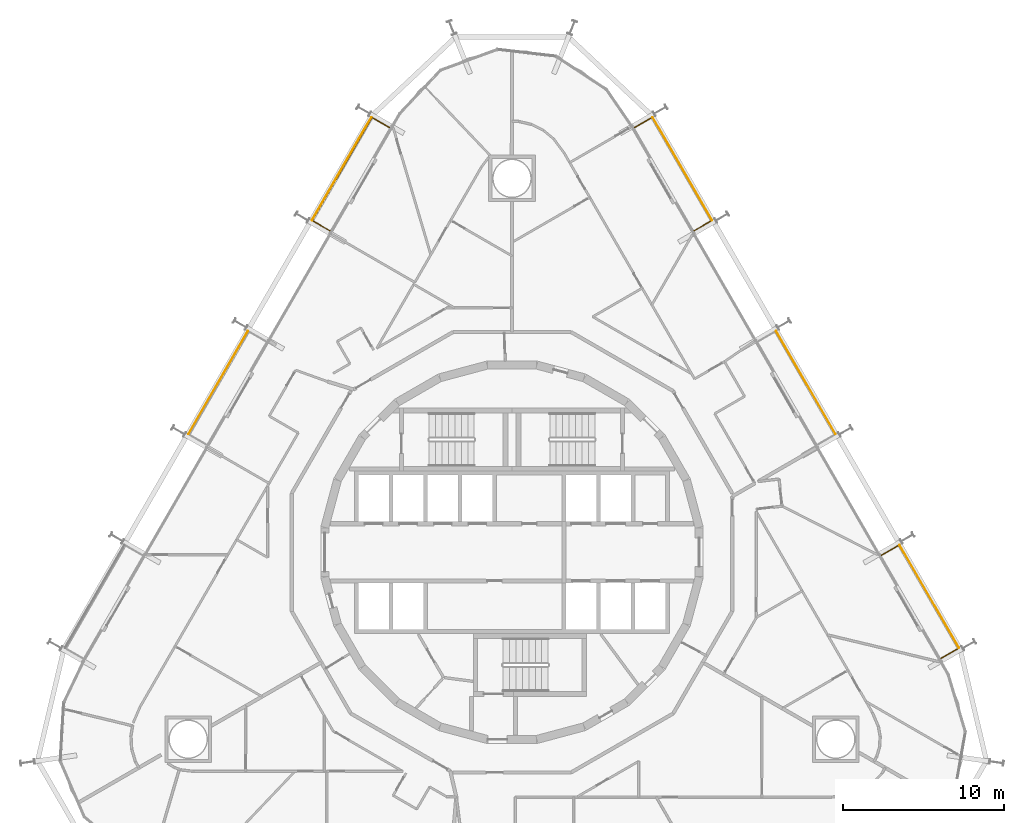
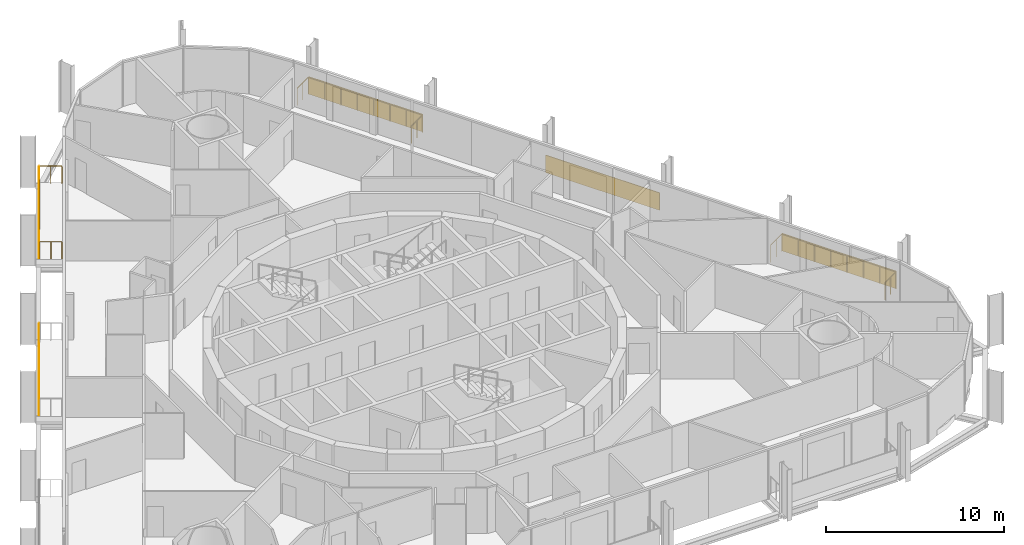
# One storey, part 21 of 21: 5 shading devices, 3 railings.
"""IFC4 building model written with IfcOpenShell, lengths in metres."""

import ifcopenshell
import ifcopenshell.guid

model = None  # the IFC model being written
_history = None  # IfcOwnerHistory: only IFC2X3 demands one
_inside = {}  # id of a spatial element -> (the spatial element, [elements in it])
_under = {}  # id of a project, library or spatial element -> (it, [spatial elements below it])
_declared = {}  # id of a project -> (the project, [libraries it declares])
_typed = {}  # id of a type object -> (the type object, [elements of that type])
_made_of = {}  # id of a material, layer set ... -> (it, [elements and type objects made of it])


def new_model(schema):
    """Start an empty IFC model of exactly this schema.

    Asked for "IFC4X3", IfcOpenShell would pick the latest addendum, in which some entities
    have other attributes; the version numbers below select the first issue.
    IFC2X3 requires an IfcOwnerHistory on every rooted entity: one is made here for all.
    """
    global model, _history
    if schema == "IFC4X3":
        model = ifcopenshell.file(schema_version=(4, 3, 0, 0))
    else:
        model = ifcopenshell.file(schema=schema)
    _inside.clear()
    _under.clear()
    _declared.clear()
    _typed.clear()
    _made_of.clear()
    _history = None
    if model.schema == "IFC2X3":
        org = make("IfcOrganization", Name="unknown")
        user = make(
            "IfcPersonAndOrganization",
            ThePerson=make("IfcPerson", FamilyName="unknown"),
            TheOrganization=org,
        )
        app = make(
            "IfcApplication",
            ApplicationDeveloper=org,
            Version="unknown",
            ApplicationFullName="unknown",
            ApplicationIdentifier="unknown",
        )
        _history = make(
            "IfcOwnerHistory",
            OwningUser=user,
            OwningApplication=app,
            ChangeAction="ADDED",
            CreationDate=0,
        )
    return model


def make(cls, **values):
    """One entity of the class cls with the attributes given. An attribute that is None is left unset."""
    return model.create_entity(
        cls, **{name: value for name, value in values.items() if value is not None}
    )


def rooted(cls, **values):
    """An entity with a GlobalId (a new one), such as an element, a storey or a relation."""
    return make(cls, GlobalId=ifcopenshell.guid.new(), OwnerHistory=_history, **values)


def si_unit(unit_type, name, prefix=None):
    """IfcSIUnit, for example si_unit("LENGTHUNIT", "METRE", prefix="MILLI")."""
    return make("IfcSIUnit", UnitType=unit_type, Prefix=prefix, Name=name)


def assignment(units):
    """IfcUnitAssignment: the units of a project."""
    return None if units is None else make("IfcUnitAssignment", Units=units)


def point(xyz):
    """IfcCartesianPoint."""
    return None if xyz is None else make("IfcCartesianPoint", Coordinates=xyz)


def direction(xyz):
    """IfcDirection."""
    return None if xyz is None else make("IfcDirection", DirectionRatios=xyz)


def frame(location, z_axis=None, x_axis=None):
    """IfcAxis2Placement3D, a coordinate frame: its origin and axes. An axis left out is left unset."""
    return make(
        "IfcAxis2Placement3D",
        Location=point(location),
        Axis=direction(z_axis),
        RefDirection=direction(x_axis),
    )


def frame_2d(location, x_axis=None):
    """IfcAxis2Placement2D, a coordinate frame in the plane: its origin and x axis."""
    return make(
        "IfcAxis2Placement2D", Location=point(location), RefDirection=direction(x_axis)
    )


def origin():
    """The frame at (0, 0, 0) with its axes left unset."""
    return frame((0.0, 0.0, 0.0))


def origin_2d():
    """The frame at (0, 0) in the plane with its x axis left unset."""
    return frame_2d((0.0, 0.0))


def place(relative_to, where):
    """IfcLocalPlacement: puts the frame where relative to a parent placement (None: the world)."""
    return make(
        "IfcLocalPlacement", PlacementRelTo=relative_to, RelativePlacement=where
    )


def context(
    kind, dimensions, precision=None, world=None, true_north=None, identifier=None
):
    """IfcGeometricRepresentationContext, for example the 3D "Model" context."""
    return make(
        "IfcGeometricRepresentationContext",
        ContextIdentifier=identifier,
        ContextType=kind,
        CoordinateSpaceDimension=dimensions,
        Precision=precision,
        WorldCoordinateSystem=world,
        TrueNorth=true_north,
    )


def subcontext(parent, identifier, kind, view, scale=None):
    """IfcGeometricRepresentationSubContext, for example "Body" below "Model"."""
    return make(
        "IfcGeometricRepresentationSubContext",
        ContextIdentifier=identifier,
        ContextType=kind,
        ParentContext=parent,
        TargetScale=scale,
        TargetView=view,
    )


def project(units=None, contexts=None):
    """IfcProject with its units and contexts."""
    return rooted(
        "IfcProject",
        Name="project",
        RepresentationContexts=contexts,
        UnitsInContext=assignment(units),
    )


def spatial(cls, under=None, at=None, **own):
    """A site, building, storey or space (cls), placed at a placement, below another one or the project."""
    s = rooted(cls, ObjectPlacement=at, **own)
    if under is not None:
        _under.setdefault(under.id(), (under, []))[1].append(s)
    return s


def profile(cls, at=None, kind="AREA", **sizes):
    """A parametric profile (cls). Its sizes go by their IFC names, for example OverallWidth=200.0."""
    return make(cls, ProfileType=kind, Position=at, **sizes)


def rectangle(**sizes):
    """IfcRectangleProfileDef."""
    return profile("IfcRectangleProfileDef", **sizes)


def circle(**sizes):
    """IfcCircleProfileDef."""
    return profile("IfcCircleProfileDef", **sizes)


def extrude(swept, where, along, depth):
    """IfcExtrudedAreaSolid: the profile swept, set in the frame where, extruded along a direction by depth."""
    return make(
        "IfcExtrudedAreaSolid",
        SweptArea=swept,
        Position=where,
        ExtrudedDirection=direction(along),
        Depth=depth,
    )


def shape(context_of_items, identifier, shape_type, items):
    """IfcShapeRepresentation: the items that make up one representation, for example the "Body"."""
    return make(
        "IfcShapeRepresentation",
        ContextOfItems=context_of_items,
        RepresentationIdentifier=identifier,
        RepresentationType=shape_type,
        Items=items,
    )


def material(Name=None, Category=None):
    """IfcMaterial."""
    return make("IfcMaterial", Name=Name, Category=Category)


def layer(
    of_material, thickness, ventilated=None, Name=None, Category=None, Priority=None
):
    """IfcMaterialLayer: one layer of a wall or slab, of a material (None: an air gap)."""
    return make(
        "IfcMaterialLayer",
        Material=of_material,
        LayerThickness=thickness,
        IsVentilated=ventilated,
        Name=Name,
        Category=Category,
        Priority=Priority,
    )


def layer_set(layers, Name=None):
    """IfcMaterialLayerSet."""
    return make("IfcMaterialLayerSet", MaterialLayers=layers, LayerSetName=Name)


def made_of(thing, what):
    """Note that an element or type object is made of a material, layer set ...; save() writes the relation."""
    if what is not None:
        _made_of.setdefault(what.id(), (what, []))[1].append(thing)
    return thing


def type_object(cls, material=None, **own):
    """A type object (cls), such as IfcWallType, which elements share."""
    return made_of(rooted(cls, **own), material)


def element(
    cls,
    number,
    at=None,
    inside=None,
    cuts=None,
    type_object=None,
    material=None,
    context=None,
    identifier="Body",
    shape_type=None,
    held_by="IfcProductDefinitionShape",
    body=None,
    shapes=None,
    **own,
):
    """One element of the class cls, such as IfcWall. Its Tag is "e" and its number.

    at: its placement. inside: the storey or other place that contains it. cuts: it is an
    opening in that element (IfcRelVoidsElement). A single representation is given by context,
    identifier, shape_type and body (its items); several are given by shapes. held_by: the class
    of the entity that holds the representations. save() writes the other relations.
    """
    e = rooted(cls, Tag="e%d" % number, ObjectPlacement=at, **own)
    if body is not None:
        shapes = [shape(context, identifier, shape_type, body)]
    if shapes is not None:
        e.Representation = make(held_by, Representations=shapes)
    if inside is not None:
        _inside.setdefault(inside.id(), (inside, []))[1].append(e)
    if cuts is not None:
        rooted(
            "IfcRelVoidsElement", RelatingBuildingElement=cuts, RelatedOpeningElement=e
        )
    if type_object is not None:
        _typed.setdefault(type_object.id(), (type_object, []))[1].append(e)
    return made_of(e, material)


def aggregate(whole, parts):
    """IfcRelAggregates: a whole, such as a stair, and the parts it consists of."""
    return rooted("IfcRelAggregates", RelatingObject=whole, RelatedObjects=parts)


def save(model, path):
    """Write the relations noted so far, then the file.

    IfcRelAggregates (storeys below a building ...), IfcRelContainedInSpatialStructure (elements
    in a storey), IfcRelDefinesByType, IfcRelAssociatesMaterial and IfcRelDeclares: one each for
    every whole, place, type object, material and project.
    """
    for whole, parts in _under.values():
        aggregate(whole, parts)
    for where, things in _inside.values():
        rooted(
            "IfcRelContainedInSpatialStructure",
            RelatedElements=things,
            RelatingStructure=where,
        )
    for kind, things in _typed.values():
        rooted("IfcRelDefinesByType", RelatedObjects=things, RelatingType=kind)
    for what, things in _made_of.values():
        rooted("IfcRelAssociatesMaterial", RelatedObjects=things, RelatingMaterial=what)
    for by, libraries in _declared.values():
        rooted("IfcRelDeclares", RelatingContext=by, RelatedDefinitions=libraries)
    model.write(path)


model = new_model("IFC4")

# Units and contexts
model_context = context("Model", 3, precision=1e-05, world=origin(), true_north=direction((0.0, 1.0)))
body_context = subcontext(model_context, "Body", "Model", "MODEL_VIEW")
ifc_project = project(units=[si_unit("LENGTHUNIT", "METRE"), si_unit("AREAUNIT", "SQUARE_METRE"), si_unit("VOLUMEUNIT", "CUBIC_METRE"), si_unit("PLANEANGLEUNIT", "RADIAN"), si_unit("MASSUNIT", "GRAM", prefix="KILO")], contexts=[model_context])

# Site, building, storey
site_placement = place(None, origin())
site = spatial("IfcSite", under=ifc_project, at=site_placement, CompositionType="ELEMENT")
building_placement = place(site_placement, origin())
building = spatial("IfcBuilding", under=site, at=building_placement, Name="Spindle Arch Residences", CompositionType="ELEMENT")
storey_placement = place(building_placement, frame((0.0, 0.0, 62.89990234375)))
storey = spatial("IfcBuildingStorey", under=building, at=storey_placement, Name="L14", CompositionType="ELEMENT", Elevation=62.89990234375)

# Railings
ifc_material_1 = material(Name="Bronze anodised aluminium guard with glass infill", Category="aluminium")
railing_type = type_object("IfcRailingType", Name="Balcony guard 1200", PredefinedType="GUARDRAIL", material=ifc_material_1)
railing_1_placement = place(storey_placement, frame((26.697021484375, -6.60107421875, 0.0)))
element("IfcRailing", 1, at=railing_1_placement, inside=storey, type_object=railing_type, Name="Guard L14 bay 6", PredefinedType="GUARDRAIL", context=body_context, shape_type="SweptSolid", body=[
    extrude(circle(Radius=0.02392578125, at=origin_2d()), frame((0.0, 0.0, 1.17578125), z_axis=(0.866071776036, 0.499919672301, 0.0), x_axis=(-0.499919672301, 0.866071776036, 0.0)), (0.0, 0.0, 1.0), 1.250244140625),
    extrude(circle(Radius=0.02392578125, at=origin_2d()), frame((1.082763671875, 0.625, 1.17578125), z_axis=(-0.499994337101, 0.866028673236, 0.0), x_axis=(-0.866028673236, -0.499994337101, 0.0)), (0.0, 0.0, 1.0), 7.41015625),
    extrude(circle(Radius=0.02392578125, at=origin_2d()), frame((-2.622314453125, 7.04248046875, 1.17578125), z_axis=(-0.866022959057, -0.500004234368, 0.0), x_axis=(0.500004234368, -0.866022959057, 0.0)), (0.0, 0.0, 1.0), 1.25),
    extrude(circle(Radius=0.02099609375, at=origin_2d()), origin(), (0.0, 0.0, 1.0), 1.15185546875),
    extrude(circle(Radius=0.02099609375, at=origin_2d()), frame((0.54150390625, 0.3125, 0.0)), (0.0, 0.0, 1.0), 1.15185546875),
    extrude(circle(Radius=0.02099609375, at=origin_2d()), frame((1.082763671875, 0.625, 0.0)), (0.0, 0.0, 1.0), 1.15185546875),
    extrude(circle(Radius=0.02099609375, at=origin_2d()), frame((0.553466796875, 1.541748046875, 0.0)), (0.0, 0.0, 1.0), 1.15185546875),
    extrude(circle(Radius=0.02099609375, at=origin_2d()), frame((0.024169921875, 2.45849609375, 0.0)), (0.0, 0.0, 1.0), 1.15185546875),
    extrude(circle(Radius=0.02099609375, at=origin_2d()), frame((-0.505126953125, 3.375244140625, 0.0)), (0.0, 0.0, 1.0), 1.15185546875),
    extrude(circle(Radius=0.02099609375, at=origin_2d()), frame((-1.034423828125, 4.292236328125, 0.0)), (0.0, 0.0, 1.0), 1.15185546875),
    extrude(circle(Radius=0.02099609375, at=origin_2d()), frame((-1.563720703125, 5.208984375, 0.0)), (0.0, 0.0, 1.0), 1.15185546875),
    extrude(circle(Radius=0.02099609375, at=origin_2d()), frame((-2.093017578125, 6.125732421875, 0.0)), (0.0, 0.0, 1.0), 1.15185546875),
    extrude(circle(Radius=0.02099609375, at=origin_2d()), frame((-2.622314453125, 7.04248046875, 0.0)), (0.0, 0.0, 1.0), 1.15185546875),
    extrude(circle(Radius=0.02099609375, at=origin_2d()), frame((-3.16357421875, 6.72998046875, 0.0)), (0.0, 0.0, 1.0), 1.15185546875),
    extrude(circle(Radius=0.02099609375, at=origin_2d()), frame((-3.704833984375, 6.41748046875, 0.0)), (0.0, 0.0, 1.0), 1.15185546875),
])
railing_2_placement = place(storey_placement, frame((11.3369140625, 20.003662109375, 0.0)))
element("IfcRailing", 2, at=railing_2_placement, inside=storey, type_object=railing_type, Name="Guard L14 bay 10", PredefinedType="GUARDRAIL", context=body_context, shape_type="SweptSolid", body=[
    extrude(circle(Radius=0.02392578125, at=origin_2d()), frame((0.0, 0.0, 1.17578125), z_axis=(0.866022959057, 0.500004234368, 0.0), x_axis=(-0.500004234368, 0.866022959057, 0.0)), (0.0, 0.0, 1.0), 1.25),
    extrude(circle(Radius=0.02392578125, at=origin_2d()), frame((1.08251953125, 0.625, 1.17578125), z_axis=(-0.499983892715, 0.86603470313, 0.0), x_axis=(-0.86603470313, -0.499983892715, 0.0)), (0.0, 0.0, 1.0), 7.409912109375),
    extrude(circle(Radius=0.02392578125, at=origin_2d()), frame((-2.622314453125, 7.042236328125, 1.17578125), z_axis=(-0.866071776036, -0.499919672301, 0.0), x_axis=(0.499919672301, -0.866071776036, 0.0)), (0.0, 0.0, 1.0), 1.250244140625),
    extrude(circle(Radius=0.02099609375, at=origin_2d()), origin(), (0.0, 0.0, 1.0), 1.15185546875),
    extrude(circle(Radius=0.02099609375, at=origin_2d()), frame((0.541259765625, 0.3125, 0.0)), (0.0, 0.0, 1.0), 1.15185546875),
    extrude(circle(Radius=0.02099609375, at=origin_2d()), frame((1.08251953125, 0.625, 0.0)), (0.0, 0.0, 1.0), 1.15185546875),
    extrude(circle(Radius=0.02099609375, at=origin_2d()), frame((0.55322265625, 1.541748046875, 0.0)), (0.0, 0.0, 1.0), 1.15185546875),
    extrude(circle(Radius=0.02099609375, at=origin_2d()), frame((0.02392578125, 2.45849609375, 0.0)), (0.0, 0.0, 1.0), 1.15185546875),
    extrude(circle(Radius=0.02099609375, at=origin_2d()), frame((-0.50537109375, 3.375244140625, 0.0)), (0.0, 0.0, 1.0), 1.15185546875),
    extrude(circle(Radius=0.02099609375, at=origin_2d()), frame((-1.034423828125, 4.2919921875, 0.0)), (0.0, 0.0, 1.0), 1.15185546875),
    extrude(circle(Radius=0.02099609375, at=origin_2d()), frame((-1.563720703125, 5.208740234375, 0.0)), (0.0, 0.0, 1.0), 1.15185546875),
    extrude(circle(Radius=0.02099609375, at=origin_2d()), frame((-2.093017578125, 6.12548828125, 0.0)), (0.0, 0.0, 1.0), 1.15185546875),
    extrude(circle(Radius=0.02099609375, at=origin_2d()), frame((-2.622314453125, 7.042236328125, 0.0)), (0.0, 0.0, 1.0), 1.15185546875),
    extrude(circle(Radius=0.02099609375, at=origin_2d()), frame((-3.16357421875, 6.729736328125, 0.0)), (0.0, 0.0, 1.0), 1.15185546875),
    extrude(circle(Radius=0.02099609375, at=origin_2d()), frame((-3.705078125, 6.417236328125, 0.0)), (0.0, 0.0, 1.0), 1.15185546875),
])
railing_3_placement = place(storey_placement, frame((-7.6318359375, 26.4208984375, 0.0)))
element("IfcRailing", 3, at=railing_3_placement, inside=storey, type_object=railing_type, Name="Guard L14 bay 14", PredefinedType="GUARDRAIL", context=body_context, shape_type="SweptSolid", body=[
    extrude(circle(Radius=0.02392578125, at=origin_2d()), frame((0.0, 0.0, 1.17578125), z_axis=(-0.866071776036, 0.499919672301, 0.0), x_axis=(-0.499919672301, -0.866071776036, 0.0)), (0.0, 0.0, 1.0), 1.250244140625),
    extrude(circle(Radius=0.02392578125, at=origin_2d()), frame((-1.082763671875, 0.625, 1.17578125), z_axis=(-0.499983892715, -0.86603470313, 0.0), x_axis=(0.86603470313, -0.499983892715, 0.0)), (0.0, 0.0, 1.0), 7.409912109375),
    extrude(circle(Radius=0.02392578125, at=origin_2d()), frame((-4.78759765625, -5.792236328125, 1.17578125), z_axis=(0.866022959057, -0.500004234368, 0.0), x_axis=(0.500004234368, 0.866022959057, 0.0)), (0.0, 0.0, 1.0), 1.25),
    extrude(circle(Radius=0.02099609375, at=origin_2d()), origin(), (0.0, 0.0, 1.0), 1.15185546875),
    extrude(circle(Radius=0.02099609375, at=origin_2d()), frame((-0.54150390625, 0.3125, 0.0)), (0.0, 0.0, 1.0), 1.15185546875),
    extrude(circle(Radius=0.02099609375, at=origin_2d()), frame((-1.082763671875, 0.625, 0.0)), (0.0, 0.0, 1.0), 1.15185546875),
    extrude(circle(Radius=0.02099609375, at=origin_2d()), frame((-1.612060546875, -0.291748046875, 0.0)), (0.0, 0.0, 1.0), 1.15185546875),
    extrude(circle(Radius=0.02099609375, at=origin_2d()), frame((-2.141357421875, -1.20849609375, 0.0)), (0.0, 0.0, 1.0), 1.15185546875),
    extrude(circle(Radius=0.02099609375, at=origin_2d()), frame((-2.670654296875, -2.125244140625, 0.0)), (0.0, 0.0, 1.0), 1.15185546875),
    extrude(circle(Radius=0.02099609375, at=origin_2d()), frame((-3.19970703125, -3.0419921875, 0.0)), (0.0, 0.0, 1.0), 1.15185546875),
    extrude(circle(Radius=0.02099609375, at=origin_2d()), frame((-3.72900390625, -3.958740234375, 0.0)), (0.0, 0.0, 1.0), 1.15185546875),
    extrude(circle(Radius=0.02099609375, at=origin_2d()), frame((-4.25830078125, -4.87548828125, 0.0)), (0.0, 0.0, 1.0), 1.15185546875),
    extrude(circle(Radius=0.02099609375, at=origin_2d()), frame((-4.78759765625, -5.792236328125, 0.0)), (0.0, 0.0, 1.0), 1.15185546875),
    extrude(circle(Radius=0.02099609375, at=origin_2d()), frame((-4.246337890625, -6.104736328125, 0.0)), (0.0, 0.0, 1.0), 1.15185546875),
    extrude(circle(Radius=0.02099609375, at=origin_2d()), frame((-3.705078125, -6.417236328125, 0.0)), (0.0, 0.0, 1.0), 1.15185546875),
])

# Shading devices
ifc_material_2 = material(Name="Bronze perforated cobogo screen")
ifc_layer = layer(ifc_material_2, 0.0390625)
ifc_layer_set = layer_set([ifc_layer], Name="Cobogo screen 1200")
shading_device_type = type_object("IfcShadingDeviceType", Name="Cobogo screen 1200", PredefinedType="USERDEFINED", material=ifc_layer_set)
for number, where, z_axis, x_axis, name in (
    (4, (25.962158203125, -2.7470703125, 0.0), (0.0, 0.0, 1.0), (-0.5, 0.866025403784, 0.0), "Cobogo screen L14 bay 6"),
    (5, (18.2822265625, 10.55517578125, 0.0), (0.0, 0.0, 1.0), (-0.5, 0.866025403784, 0.0), "Cobogo screen L14 bay 8"),
    (6, (10.60205078125, 23.857421875, 0.0), (0.0, 0.0, 1.0), (-0.5, 0.866025403784, 0.0), "Cobogo screen L14 bay 10"),
    (7, (-10.60205078125, 23.857421875, 0.0), (0.0, 0.0, 1.0), (-0.5, -0.866025403784, 0.0), "Cobogo screen L14 bay 14"),
    (8, (-18.2822265625, 10.55517578125, 0.0), (0.0, 0.0, 1.0), (-0.5, -0.866025403784, 0.0), "Cobogo screen L14 bay 16"),
):
    element("IfcShadingDevice", number, at=place(storey_placement, frame(where, z_axis=z_axis, x_axis=x_axis)), inside=storey, type_object=shading_device_type, Name=name, ObjectType="SCREEN", PredefinedType="USERDEFINED", context=body_context, shape_type="SweptSolid", body=[
        extrude(rectangle(XDim=7.41015625, YDim=0.0390625, at=origin_2d()), origin(), (0.0, 0.0, 1.0), 1.199951171875),
    ])

save(model, "model.ifc")
